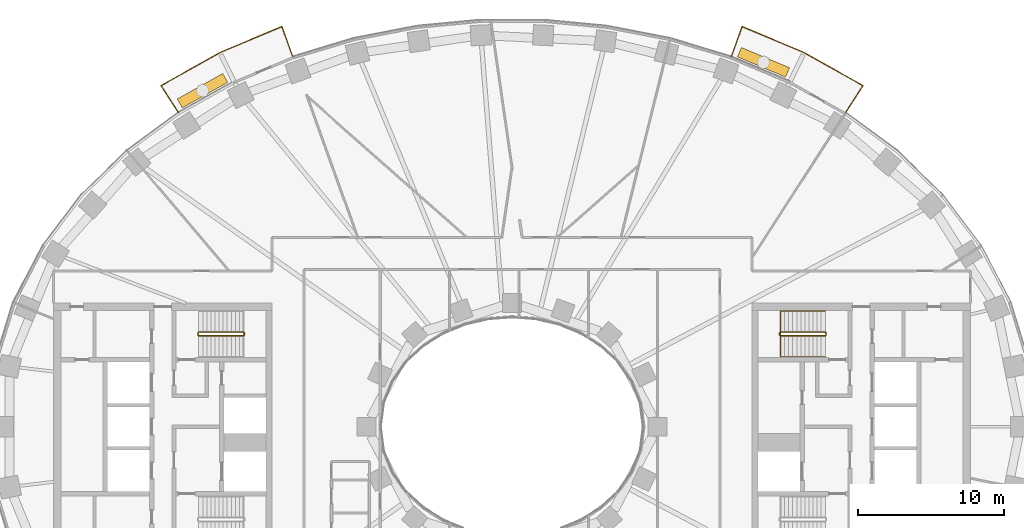
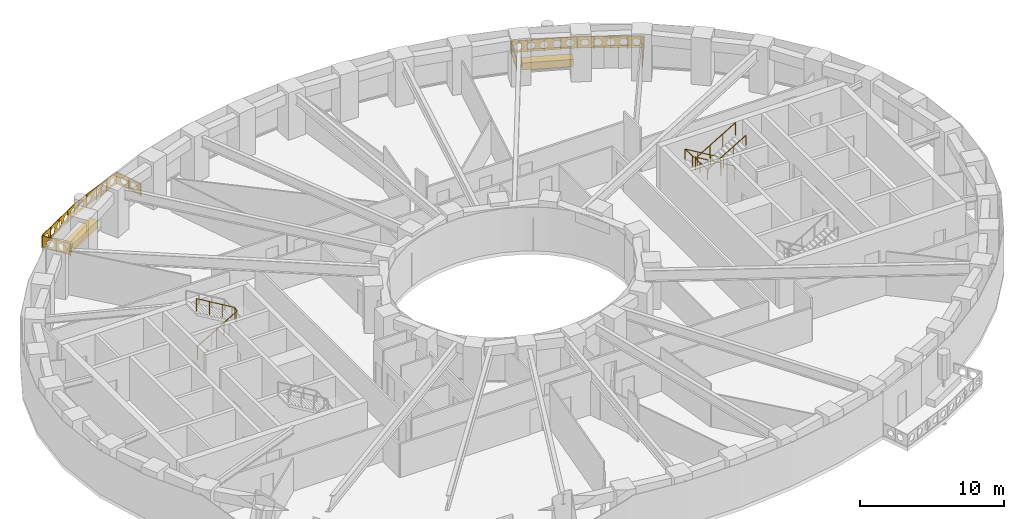
# One storey, part 14 of 15: 5 railings, 2 coverings.
"""IFC4 building model written with IfcOpenShell, lengths in metres."""

from ifc_helpers import new_model, si_unit, direction, frame, origin, origin_2d, place, context, subcontext, project, spatial, polyline, rectangle, outline, extrude, material, type_object, element, save


model = new_model("IFC4")

# Units and contexts
model_context = context("Model", 3, precision=1e-05, world=origin(), true_north=direction((0.0, 1.0)))
body_context = subcontext(model_context, "Body", "Model", "MODEL_VIEW")
ifc_project = project(units=[si_unit("LENGTHUNIT", "METRE"), si_unit("AREAUNIT", "SQUARE_METRE"), si_unit("VOLUMEUNIT", "CUBIC_METRE"), si_unit("PLANEANGLEUNIT", "RADIAN"), si_unit("MASSUNIT", "GRAM", prefix="KILO")], contexts=[model_context])

# Site, building, storey
site_placement = place(None, origin())
site = spatial("IfcSite", under=ifc_project, at=site_placement, CompositionType="ELEMENT")
building_placement = place(site_placement, origin())
building = spatial("IfcBuilding", under=site, at=building_placement, Name="Noorbagh Ring Tower", CompositionType="ELEMENT")
storey_placement = place(building_placement, frame((0.0, 0.0, 62.5)))
storey = spatial("IfcBuildingStorey", under=building, at=storey_placement, Name="L13", CompositionType="ELEMENT", Elevation=62.5)

# Railings
ifc_material_1 = material(Name="Stainless steel", Category="steel")
railing_type_1 = type_object("IfcRailingType", Name="CORE-STAIR-GUARD", PredefinedType="GUARDRAIL", material=ifc_material_1)
railing_1_placement = place(storey_placement, frame((-21.580078125, 6.300048828125, 0.0)))
element("IfcRailing", 1, at=railing_1_placement, inside=storey, type_object=railing_type_1, Name="L13 ST1 stair guard", PredefinedType="GUARDRAIL", context=body_context, shape_type="SweptSolid", body=[
    extrude(rectangle(XDim=0.048095703125, YDim=0.048095703125, at=origin_2d()), frame((0.0, 0.0, 1.076171875), z_axis=(0.0, 1.0, 0.0), x_axis=(-1.0, 0.0, 0.0)), (0.0, 0.0, 1.0), 0.14990234375),
    extrude(rectangle(XDim=0.048095703125, YDim=0.048095703125, at=origin_2d()), frame((0.0, 0.14990234375, 1.076171875), z_axis=(0.188775798145, -0.754182335027, 0.628945707965), x_axis=(0.970072785993, 0.242814311512, 0.0)), (0.0, 0.0, 1.0), 0.26513671875),
    extrude(rectangle(XDim=0.048095703125, YDim=0.048095703125, at=origin_2d()), frame((0.050048828125, -0.050048828125, 1.24267578125), z_axis=(0.859308565015, 0.0, 0.511457515432), x_axis=(0.0, 1.0, 0.0)), (0.0, 0.0, 1.0), 3.58447265625),
    extrude(rectangle(XDim=0.048095703125, YDim=0.048095703125, at=origin_2d()), frame((3.130126953125, -0.050048828125, 3.076171875), z_axis=(0.707106781187, 0.707106781187, 0.0), x_axis=(-0.707106781187, 0.707106781187, 0.0)), (0.0, 0.0, 1.0), 0.07080078125),
    extrude(rectangle(XDim=0.048095703125, YDim=0.048095703125, at=origin_2d()), frame((3.18017578125, 0.0, 3.076171875), z_axis=(0.0, 1.0, 0.0), x_axis=(-1.0, 0.0, 0.0)), (0.0, 0.0, 1.0), 0.14990234375),
    extrude(rectangle(XDim=0.048095703125, YDim=0.048095703125, at=origin_2d()), frame((3.18017578125, 0.14990234375, 3.076171875), z_axis=(-0.27628659633, 0.27628659633, 0.920506074601), x_axis=(-0.707106781187, -0.707106781187, 0.0)), (0.0, 0.0, 1.0), 0.18115234375),
    extrude(rectangle(XDim=0.048095703125, YDim=0.048095703125, at=origin_2d()), frame((3.130126953125, 0.199951171875, 3.24267578125), z_axis=(-0.859308565015, 0.0, 0.511457515432), x_axis=(0.0, -1.0, 0.0)), (0.0, 0.0, 1.0), 3.58447265625),
    extrude(rectangle(XDim=0.0419921875, YDim=0.0419921875, at=origin_2d()), origin(), (0.0, 0.0, 1.0), 1.052001953125),
    extrude(rectangle(XDim=0.0419921875, YDim=0.0419921875, at=origin_2d()), frame((1.07666015625, -0.050048828125, 0.77783203125)), (0.0, 0.0, 1.0), 1.052001953125),
    extrude(rectangle(XDim=0.0419921875, YDim=0.0419921875, at=origin_2d()), frame((2.103515625, -0.050048828125, 1.388916015625)), (0.0, 0.0, 1.0), 1.052001953125),
    extrude(rectangle(XDim=0.0419921875, YDim=0.0419921875, at=origin_2d()), frame((3.130126953125, -0.050048828125, 2.0)), (0.0, 0.0, 1.0), 1.052001953125),
    extrude(rectangle(XDim=0.0419921875, YDim=0.0419921875, at=origin_2d()), frame((3.130126953125, 0.199951171875, 2.166748046875)), (0.0, 0.0, 1.0), 1.052001953125),
    extrude(rectangle(XDim=0.0419921875, YDim=0.0419921875, at=origin_2d()), frame((2.103515625, 0.199951171875, 2.77783203125)), (0.0, 0.0, 1.0), 1.052001953125),
    extrude(rectangle(XDim=0.0419921875, YDim=0.0419921875, at=origin_2d()), frame((1.07666015625, 0.199951171875, 3.388916015625)), (0.0, 0.0, 1.0), 1.052001953125),
    extrude(rectangle(XDim=0.0419921875, YDim=0.0419921875, at=origin_2d()), frame((0.050048828125, 0.199951171875, 4.0)), (0.0, 0.0, 1.0), 1.052001953125),
])
railing_2_placement = place(storey_placement, frame((21.580078125, 6.449951171875, 0.0)))
element("IfcRailing", 2, at=railing_2_placement, inside=storey, type_object=railing_type_1, Name="L13 ST3 stair guard", PredefinedType="GUARDRAIL", context=body_context, shape_type="SweptSolid", body=[
    extrude(rectangle(XDim=0.048095703125, YDim=0.048095703125, at=origin_2d()), frame((0.0, 0.0, 1.076171875), z_axis=(0.0, -1.0, 0.0), x_axis=(1.0, 0.0, 0.0)), (0.0, 0.0, 1.0), 0.14990234375),
    extrude(rectangle(XDim=0.048095703125, YDim=0.048095703125, at=origin_2d()), frame((0.0, -0.14990234375, 1.076171875), z_axis=(-0.188775798145, 0.754182335027, 0.628945707965), x_axis=(-0.970072785993, -0.242814311512, 0.0)), (0.0, 0.0, 1.0), 0.26513671875),
    extrude(rectangle(XDim=0.048095703125, YDim=0.048095703125, at=origin_2d()), frame((-0.050048828125, 0.050048828125, 1.24267578125), z_axis=(-0.859308565015, 0.0, 0.511457515432), x_axis=(0.0, -1.0, 0.0)), (0.0, 0.0, 1.0), 3.58447265625),
    extrude(rectangle(XDim=0.048095703125, YDim=0.048095703125, at=origin_2d()), frame((-3.130126953125, 0.050048828125, 3.076171875), z_axis=(-0.707106781187, -0.707106781187, 0.0), x_axis=(0.707106781187, -0.707106781187, 0.0)), (0.0, 0.0, 1.0), 0.07080078125),
    extrude(rectangle(XDim=0.048095703125, YDim=0.048095703125, at=origin_2d()), frame((-3.18017578125, 0.0, 3.076171875), z_axis=(0.0, -1.0, 0.0), x_axis=(1.0, 0.0, 0.0)), (0.0, 0.0, 1.0), 0.14990234375),
    extrude(rectangle(XDim=0.048095703125, YDim=0.048095703125, at=origin_2d()), frame((-3.18017578125, -0.14990234375, 3.076171875), z_axis=(0.27628659633, -0.27628659633, 0.920506074601), x_axis=(0.707106781187, 0.707106781187, 0.0)), (0.0, 0.0, 1.0), 0.18115234375),
    extrude(rectangle(XDim=0.048095703125, YDim=0.048095703125, at=origin_2d()), frame((-3.130126953125, -0.199951171875, 3.24267578125), z_axis=(0.859308565015, 0.0, 0.511457515432), x_axis=(0.0, 1.0, 0.0)), (0.0, 0.0, 1.0), 3.58447265625),
    extrude(rectangle(XDim=0.0419921875, YDim=0.0419921875, at=origin_2d()), origin(), (0.0, 0.0, 1.0), 1.052001953125),
    extrude(rectangle(XDim=0.0419921875, YDim=0.0419921875, at=origin_2d()), frame((-1.07666015625, 0.050048828125, 0.77783203125)), (0.0, 0.0, 1.0), 1.052001953125),
    extrude(rectangle(XDim=0.0419921875, YDim=0.0419921875, at=origin_2d()), frame((-2.103515625, 0.050048828125, 1.388916015625)), (0.0, 0.0, 1.0), 1.052001953125),
    extrude(rectangle(XDim=0.0419921875, YDim=0.0419921875, at=origin_2d()), frame((-3.130126953125, 0.050048828125, 2.0)), (0.0, 0.0, 1.0), 1.052001953125),
    extrude(rectangle(XDim=0.0419921875, YDim=0.0419921875, at=origin_2d()), frame((-3.130126953125, -0.199951171875, 2.166748046875)), (0.0, 0.0, 1.0), 1.052001953125),
    extrude(rectangle(XDim=0.0419921875, YDim=0.0419921875, at=origin_2d()), frame((-2.103515625, -0.199951171875, 2.77783203125)), (0.0, 0.0, 1.0), 1.052001953125),
    extrude(rectangle(XDim=0.0419921875, YDim=0.0419921875, at=origin_2d()), frame((-1.07666015625, -0.199951171875, 3.388916015625)), (0.0, 0.0, 1.0), 1.052001953125),
    extrude(rectangle(XDim=0.0419921875, YDim=0.0419921875, at=origin_2d()), frame((-0.050048828125, -0.199951171875, 4.0)), (0.0, 0.0, 1.0), 1.052001953125),
])
ifc_material_2 = material(Name="Stainless steel", Category="steel")
railing_type_2 = type_object("IfcRailingType", Name="CORE-STAIR-HANDRAIL", PredefinedType="HANDRAIL", material=ifc_material_2)
railing_3_placement = place(storey_placement, frame((21.530029296875, 7.949951171875, 0.166748046875)))
element("IfcRailing", 3, at=railing_3_placement, inside=storey, type_object=railing_type_2, Name="L13 ST3 stair handrail", PredefinedType="HANDRAIL", context=body_context, shape_type="SweptSolid", body=[
    extrude(rectangle(XDim=0.048095703125, YDim=0.048095703125, at=origin_2d()), frame((0.0, 0.0, 0.8759765625), z_axis=(-0.859308565015, 0.0, 0.511457515432), x_axis=(0.0, -1.0, 0.0)), (0.0, 0.0, 1.0), 3.58447265625),
    extrude(rectangle(XDim=0.048095703125, YDim=0.048095703125, at=origin_2d()), frame((-3.080078125, 0.0, 2.708984375), z_axis=(0.0, -0.998601747152, 0.052863509014), x_axis=(1.0, 0.0, 0.0)), (0.0, 0.0, 1.0), 3.154296875),
    extrude(rectangle(XDim=0.048095703125, YDim=0.048095703125, at=origin_2d()), frame((-3.080078125, -3.14990234375, 2.8759765625), z_axis=(0.859308565015, 0.0, 0.511457515432), x_axis=(0.0, 1.0, 0.0)), (0.0, 0.0, 1.0), 3.58447265625),
    extrude(rectangle(XDim=0.0419921875, YDim=0.0419921875, at=origin_2d()), origin(), (0.0, 0.0, 1.0), 0.851806640625),
    extrude(rectangle(XDim=0.0419921875, YDim=0.0419921875, at=origin_2d()), frame((-1.026611328125, 0.0, 0.611083984375)), (0.0, 0.0, 1.0), 0.851806640625),
    extrude(rectangle(XDim=0.0419921875, YDim=0.0419921875, at=origin_2d()), frame((-2.053466796875, 0.0, 1.22216796875)), (0.0, 0.0, 1.0), 0.851806640625),
    extrude(rectangle(XDim=0.0419921875, YDim=0.0419921875, at=origin_2d()), frame((-3.080078125, 0.0, 1.833251953125)), (0.0, 0.0, 1.0), 0.851806640625),
    extrude(rectangle(XDim=0.0419921875, YDim=0.0419921875, at=origin_2d()), frame((-3.080078125, -1.050048828125, 1.888916015625)), (0.0, 0.0, 1.0), 0.851806640625),
    extrude(rectangle(XDim=0.0419921875, YDim=0.0419921875, at=origin_2d()), frame((-3.080078125, -2.099853515625, 1.9443359375)), (0.0, 0.0, 1.0), 0.851806640625),
    extrude(rectangle(XDim=0.0419921875, YDim=0.0419921875, at=origin_2d()), frame((-3.080078125, -3.14990234375, 2.0)), (0.0, 0.0, 1.0), 0.851806640625),
    extrude(rectangle(XDim=0.0419921875, YDim=0.0419921875, at=origin_2d()), frame((-2.053466796875, -3.14990234375, 2.611083984375)), (0.0, 0.0, 1.0), 0.851806640625),
    extrude(rectangle(XDim=0.0419921875, YDim=0.0419921875, at=origin_2d()), frame((-1.026611328125, -3.14990234375, 3.22216796875)), (0.0, 0.0, 1.0), 0.851806640625),
    extrude(rectangle(XDim=0.0419921875, YDim=0.0419921875, at=origin_2d()), frame((0.0, -3.14990234375, 3.833251953125)), (0.0, 0.0, 1.0), 0.851806640625),
])
ifc_material_3 = material(Name="Steel S275 black powder-coated", Category="steel")
railing_type_3 = type_object("IfcRailingType", Name="ENV-GUARD", PredefinedType="GUARDRAIL", material=ifc_material_3)
railing_4_placement = place(storey_placement, frame((22.9326171875, 21.583740234375, 0.0)))
element("IfcRailing", 4, at=railing_4_placement, inside=storey, type_object=railing_type_3, Name="Balcony guard BN02", PredefinedType="GUARDRAIL", context=body_context, shape_type="SweptSolid", body=[
    extrude(rectangle(XDim=0.048095703125, YDim=0.048095703125, at=origin_2d()), frame((0.0, 0.0, 1.076171875), z_axis=(0.542268136821, 0.840205491406, 0.0), x_axis=(-0.840205491406, 0.542268136821, 0.0)), (0.0, 0.0, 1.0), 2.204345703125),
    extrude(rectangle(XDim=0.048095703125, YDim=0.048095703125, at=origin_2d()), frame((1.1953125, 1.85205078125, 1.076171875), z_axis=(-0.872052247658, 0.489412788303, 0.0), x_axis=(-0.489412788303, -0.872052247658, 0.0)), (0.0, 0.0, 1.0), 4.646240234375),
    extrude(rectangle(XDim=0.048095703125, YDim=0.048095703125, at=origin_2d()), frame((-2.8564453125, 4.1259765625, 1.076171875), z_axis=(-0.921809087722, 0.387644174203, 0.0), x_axis=(-0.387644174203, -0.921809087722, 0.0)), (0.0, 0.0, 1.0), 4.627197265625),
    extrude(rectangle(XDim=0.048095703125, YDim=0.048095703125, at=origin_2d()), frame((-7.121826171875, 5.919677734375, 1.076171875), z_axis=(-0.338350546839, -0.941020141896, 0.0), x_axis=(0.941020141896, -0.338350546839, 0.0)), (0.0, 0.0, 1.0), 2.202880859375),
    extrude(rectangle(XDim=0.0419921875, YDim=0.0419921875, at=origin_2d()), origin(), (0.0, 0.0, 1.0), 1.052001953125),
    extrude(rectangle(XDim=0.0419921875, YDim=0.0419921875, at=origin_2d()), frame((0.59765625, 0.926025390625, 0.0)), (0.0, 0.0, 1.0), 1.052001953125),
    extrude(rectangle(XDim=0.0419921875, YDim=0.0419921875, at=origin_2d()), frame((1.1953125, 1.85205078125, 0.0)), (0.0, 0.0, 1.0), 1.052001953125),
    extrude(rectangle(XDim=0.0419921875, YDim=0.0419921875, at=origin_2d()), frame((0.182373046875, 2.42041015625, 0.0)), (0.0, 0.0, 1.0), 1.052001953125),
    extrude(rectangle(XDim=0.0419921875, YDim=0.0419921875, at=origin_2d()), frame((-0.83056640625, 2.989013671875, 0.0)), (0.0, 0.0, 1.0), 1.052001953125),
    extrude(rectangle(XDim=0.0419921875, YDim=0.0419921875, at=origin_2d()), frame((-1.843505859375, 3.5576171875, 0.0)), (0.0, 0.0, 1.0), 1.052001953125),
    extrude(rectangle(XDim=0.0419921875, YDim=0.0419921875, at=origin_2d()), frame((-2.8564453125, 4.1259765625, 0.0)), (0.0, 0.0, 1.0), 1.052001953125),
    extrude(rectangle(XDim=0.0419921875, YDim=0.0419921875, at=origin_2d()), frame((-3.9228515625, 4.574462890625, 0.0)), (0.0, 0.0, 1.0), 1.052001953125),
    extrude(rectangle(XDim=0.0419921875, YDim=0.0419921875, at=origin_2d()), frame((-4.9892578125, 5.02294921875, 0.0)), (0.0, 0.0, 1.0), 1.052001953125),
    extrude(rectangle(XDim=0.0419921875, YDim=0.0419921875, at=origin_2d()), frame((-6.055419921875, 5.47119140625, 0.0)), (0.0, 0.0, 1.0), 1.052001953125),
    extrude(rectangle(XDim=0.0419921875, YDim=0.0419921875, at=origin_2d()), frame((-7.121826171875, 5.919677734375, 0.0)), (0.0, 0.0, 1.0), 1.052001953125),
    extrude(rectangle(XDim=0.0419921875, YDim=0.0419921875, at=origin_2d()), frame((-7.49462890625, 4.88330078125, 0.0)), (0.0, 0.0, 1.0), 1.052001953125),
    extrude(rectangle(XDim=0.0419921875, YDim=0.0419921875, at=origin_2d()), frame((-7.8671875, 3.8466796875, 0.0)), (0.0, 0.0, 1.0), 1.052001953125),
    extrude(outline(polyline([(0.0, 0.10009765625), (2.204345703125, 0.10009765625), (2.204345703125, 1.031982421875), (0.0, 1.031982421875), (0.0, 0.10009765625)]), holes=[polyline([(0.962158203125, 0.56591796875), (0.80712890625, 0.83447265625), (0.4970703125, 0.83447265625), (0.342041015625, 0.56591796875), (0.4970703125, 0.297607421875), (0.80712890625, 0.297607421875), (0.962158203125, 0.56591796875)]), polyline([(1.862060546875, 0.56591796875), (1.70703125, 0.83447265625), (1.397216796875, 0.83447265625), (1.2421875, 0.56591796875), (1.397216796875, 0.297607421875), (1.70703125, 0.297607421875), (1.862060546875, 0.56591796875)])]), frame((-0.00830078125, 0.00537109375, 0.0), z_axis=(0.840205491406, -0.542268136821, 0.0), x_axis=(0.542268136821, 0.840205491406, 0.0)), (0.0, 0.0, 1.0), 0.02001953125),
    extrude(outline(polyline([(0.0, 0.10009765625), (4.646240234375, 0.10009765625), (4.646240234375, 1.031982421875), (0.0, 1.031982421875), (0.0, 0.10009765625)]), holes=[polyline([(0.8330078125, 0.56591796875), (0.67822265625, 0.83447265625), (0.3681640625, 0.83447265625), (0.213134765625, 0.56591796875), (0.3681640625, 0.297607421875), (0.67822265625, 0.297607421875), (0.8330078125, 0.56591796875)]), polyline([(1.733154296875, 0.56591796875), (1.578125, 0.83447265625), (1.26806640625, 0.83447265625), (1.113037109375, 0.56591796875), (1.26806640625, 0.297607421875), (1.578125, 0.297607421875), (1.733154296875, 0.56591796875)]), polyline([(2.633056640625, 0.56591796875), (2.47802734375, 0.83447265625), (2.168212890625, 0.83447265625), (2.01318359375, 0.56591796875), (2.168212890625, 0.297607421875), (2.47802734375, 0.297607421875), (2.633056640625, 0.56591796875)]), polyline([(3.533203125, 0.56591796875), (3.378173828125, 0.83447265625), (3.068115234375, 0.83447265625), (2.9130859375, 0.56591796875), (3.068115234375, 0.297607421875), (3.378173828125, 0.297607421875), (3.533203125, 0.56591796875)]), polyline([(4.43310546875, 0.56591796875), (4.278076171875, 0.83447265625), (3.968017578125, 0.83447265625), (3.813232421875, 0.56591796875), (3.968017578125, 0.297607421875), (4.278076171875, 0.297607421875), (4.43310546875, 0.56591796875)])]), frame((1.1904296875, 1.84326171875, 0.0), z_axis=(0.489412788303, 0.872052247658, 0.0), x_axis=(-0.872052247658, 0.489412788303, 0.0)), (0.0, 0.0, 1.0), 0.02001953125),
    extrude(outline(polyline([(0.0, 0.10009765625), (4.627197265625, 0.10009765625), (4.627197265625, 1.031982421875), (0.0, 1.031982421875), (0.0, 0.10009765625)]), holes=[polyline([(0.823486328125, 0.56591796875), (0.668701171875, 0.83447265625), (0.358642578125, 0.83447265625), (0.20361328125, 0.56591796875), (0.358642578125, 0.297607421875), (0.668701171875, 0.297607421875), (0.823486328125, 0.56591796875)]), polyline([(1.7236328125, 0.56591796875), (1.568603515625, 0.83447265625), (1.258544921875, 0.83447265625), (1.103515625, 0.56591796875), (1.258544921875, 0.297607421875), (1.568603515625, 0.297607421875), (1.7236328125, 0.56591796875)]), polyline([(2.62353515625, 0.56591796875), (2.468505859375, 0.83447265625), (2.15869140625, 0.83447265625), (2.003662109375, 0.56591796875), (2.15869140625, 0.297607421875), (2.468505859375, 0.297607421875), (2.62353515625, 0.56591796875)]), polyline([(3.523681640625, 0.56591796875), (3.36865234375, 0.83447265625), (3.05859375, 0.83447265625), (2.903564453125, 0.56591796875), (3.05859375, 0.297607421875), (3.36865234375, 0.297607421875), (3.523681640625, 0.56591796875)]), polyline([(4.423583984375, 0.56591796875), (4.2685546875, 0.83447265625), (3.95849609375, 0.83447265625), (3.8037109375, 0.56591796875), (3.95849609375, 0.297607421875), (4.2685546875, 0.297607421875), (4.423583984375, 0.56591796875)])]), frame((-2.8603515625, 4.11669921875, 0.0), z_axis=(0.387644174203, 0.921809087722, 0.0), x_axis=(-0.921809087722, 0.387644174203, 0.0)), (0.0, 0.0, 1.0), 0.02001953125),
    extrude(outline(polyline([(0.0, 0.10009765625), (2.202880859375, 0.10009765625), (2.202880859375, 1.031982421875), (0.0, 1.031982421875), (0.0, 0.10009765625)]), holes=[polyline([(0.96142578125, 0.56591796875), (0.806396484375, 0.83447265625), (0.49658203125, 0.83447265625), (0.341552734375, 0.56591796875), (0.49658203125, 0.297607421875), (0.806396484375, 0.297607421875), (0.96142578125, 0.56591796875)]), polyline([(1.861572265625, 0.56591796875), (1.70654296875, 0.83447265625), (1.396484375, 0.83447265625), (1.241455078125, 0.56591796875), (1.396484375, 0.297607421875), (1.70654296875, 0.297607421875), (1.861572265625, 0.56591796875)])]), frame((-7.1123046875, 5.916259765625, 0.0), z_axis=(-0.941020141896, 0.338350546839, 0.0), x_axis=(-0.338350546839, -0.941020141896, 0.0)), (0.0, 0.0, 1.0), 0.02001953125),
])
railing_5_placement = place(storey_placement, frame((-15.0654296875, 25.430419921875, 0.0)))
element("IfcRailing", 5, at=railing_5_placement, inside=storey, type_object=railing_type_3, Name="Balcony guard BN05", PredefinedType="GUARDRAIL", context=body_context, shape_type="SweptSolid", body=[
    extrude(rectangle(XDim=0.048095703125, YDim=0.048095703125, at=origin_2d()), frame((0.0, 0.0, 1.076171875), z_axis=(-0.338350546839, 0.941020141896, 0.0), x_axis=(-0.941020141896, -0.338350546839, 0.0)), (0.0, 0.0, 1.0), 2.202880859375),
    extrude(rectangle(XDim=0.048095703125, YDim=0.048095703125, at=origin_2d()), frame((-0.745361328125, 2.072998046875, 1.076171875), z_axis=(-0.921809087722, -0.387644174203, 0.0), x_axis=(0.387644174203, -0.921809087722, 0.0)), (0.0, 0.0, 1.0), 4.627197265625),
    extrude(rectangle(XDim=0.048095703125, YDim=0.048095703125, at=origin_2d()), frame((-5.0107421875, 0.279296875, 1.076171875), z_axis=(-0.872052247658, -0.489412788303, 0.0), x_axis=(0.489412788303, -0.872052247658, 0.0)), (0.0, 0.0, 1.0), 4.646240234375),
    extrude(rectangle(XDim=0.048095703125, YDim=0.048095703125, at=origin_2d()), frame((-9.0625, -1.99462890625, 1.076171875), z_axis=(0.542268136821, -0.840205491406, 0.0), x_axis=(0.840205491406, 0.542268136821, 0.0)), (0.0, 0.0, 1.0), 2.204345703125),
    extrude(rectangle(XDim=0.0419921875, YDim=0.0419921875, at=origin_2d()), origin(), (0.0, 0.0, 1.0), 1.052001953125),
    extrude(rectangle(XDim=0.0419921875, YDim=0.0419921875, at=origin_2d()), frame((-0.37255859375, 1.03662109375, 0.0)), (0.0, 0.0, 1.0), 1.052001953125),
    extrude(rectangle(XDim=0.0419921875, YDim=0.0419921875, at=origin_2d()), frame((-0.745361328125, 2.072998046875, 0.0)), (0.0, 0.0, 1.0), 1.052001953125),
    extrude(rectangle(XDim=0.0419921875, YDim=0.0419921875, at=origin_2d()), frame((-1.811767578125, 1.62451171875, 0.0)), (0.0, 0.0, 1.0), 1.052001953125),
    extrude(rectangle(XDim=0.0419921875, YDim=0.0419921875, at=origin_2d()), frame((-2.8779296875, 1.17626953125, 0.0)), (0.0, 0.0, 1.0), 1.052001953125),
    extrude(rectangle(XDim=0.0419921875, YDim=0.0419921875, at=origin_2d()), frame((-3.9443359375, 0.727783203125, 0.0)), (0.0, 0.0, 1.0), 1.052001953125),
    extrude(rectangle(XDim=0.0419921875, YDim=0.0419921875, at=origin_2d()), frame((-5.0107421875, 0.279296875, 0.0)), (0.0, 0.0, 1.0), 1.052001953125),
    extrude(rectangle(XDim=0.0419921875, YDim=0.0419921875, at=origin_2d()), frame((-6.023681640625, -0.2890625, 0.0)), (0.0, 0.0, 1.0), 1.052001953125),
    extrude(rectangle(XDim=0.0419921875, YDim=0.0419921875, at=origin_2d()), frame((-7.03662109375, -0.857666015625, 0.0)), (0.0, 0.0, 1.0), 1.052001953125),
    extrude(rectangle(XDim=0.0419921875, YDim=0.0419921875, at=origin_2d()), frame((-8.049560546875, -1.42626953125, 0.0)), (0.0, 0.0, 1.0), 1.052001953125),
    extrude(rectangle(XDim=0.0419921875, YDim=0.0419921875, at=origin_2d()), frame((-9.0625, -1.99462890625, 0.0)), (0.0, 0.0, 1.0), 1.052001953125),
    extrude(rectangle(XDim=0.0419921875, YDim=0.0419921875, at=origin_2d()), frame((-8.46484375, -2.920654296875, 0.0)), (0.0, 0.0, 1.0), 1.052001953125),
    extrude(rectangle(XDim=0.0419921875, YDim=0.0419921875, at=origin_2d()), frame((-7.8671875, -3.8466796875, 0.0)), (0.0, 0.0, 1.0), 1.052001953125),
    extrude(outline(polyline([(0.0, 0.10009765625), (2.202880859375, 0.10009765625), (2.202880859375, 1.031982421875), (0.0, 1.031982421875), (0.0, 0.10009765625)]), holes=[polyline([(0.96142578125, 0.56591796875), (0.806396484375, 0.83447265625), (0.49658203125, 0.83447265625), (0.341552734375, 0.56591796875), (0.49658203125, 0.297607421875), (0.806396484375, 0.297607421875), (0.96142578125, 0.56591796875)]), polyline([(1.861572265625, 0.56591796875), (1.70654296875, 0.83447265625), (1.396484375, 0.83447265625), (1.241455078125, 0.56591796875), (1.396484375, 0.297607421875), (1.70654296875, 0.297607421875), (1.861572265625, 0.56591796875)])]), frame((-0.009521484375, -0.00341796875, 0.0), z_axis=(0.941020141896, 0.338350546839, 0.0), x_axis=(-0.338350546839, 0.941020141896, 0.0)), (0.0, 0.0, 1.0), 0.02001953125),
    extrude(outline(polyline([(0.0, 0.10009765625), (4.627197265625, 0.10009765625), (4.627197265625, 1.031982421875), (0.0, 1.031982421875), (0.0, 0.10009765625)]), holes=[polyline([(0.823486328125, 0.56591796875), (0.668701171875, 0.83447265625), (0.358642578125, 0.83447265625), (0.20361328125, 0.56591796875), (0.358642578125, 0.297607421875), (0.668701171875, 0.297607421875), (0.823486328125, 0.56591796875)]), polyline([(1.7236328125, 0.56591796875), (1.568603515625, 0.83447265625), (1.258544921875, 0.83447265625), (1.103515625, 0.56591796875), (1.258544921875, 0.297607421875), (1.568603515625, 0.297607421875), (1.7236328125, 0.56591796875)]), polyline([(2.62353515625, 0.56591796875), (2.468505859375, 0.83447265625), (2.15869140625, 0.83447265625), (2.003662109375, 0.56591796875), (2.15869140625, 0.297607421875), (2.468505859375, 0.297607421875), (2.62353515625, 0.56591796875)]), polyline([(3.523681640625, 0.56591796875), (3.36865234375, 0.83447265625), (3.05859375, 0.83447265625), (2.903564453125, 0.56591796875), (3.05859375, 0.297607421875), (3.36865234375, 0.297607421875), (3.523681640625, 0.56591796875)]), polyline([(4.423583984375, 0.56591796875), (4.2685546875, 0.83447265625), (3.95849609375, 0.83447265625), (3.8037109375, 0.56591796875), (3.95849609375, 0.297607421875), (4.2685546875, 0.297607421875), (4.423583984375, 0.56591796875)])]), frame((-0.741455078125, 2.063720703125, 0.0), z_axis=(-0.387644174203, 0.921809087722, 0.0), x_axis=(-0.921809087722, -0.387644174203, 0.0)), (0.0, 0.0, 1.0), 0.02001953125),
    extrude(outline(polyline([(0.0, 0.10009765625), (4.646240234375, 0.10009765625), (4.646240234375, 1.031982421875), (0.0, 1.031982421875), (0.0, 0.10009765625)]), holes=[polyline([(0.8330078125, 0.56591796875), (0.67822265625, 0.83447265625), (0.3681640625, 0.83447265625), (0.213134765625, 0.56591796875), (0.3681640625, 0.297607421875), (0.67822265625, 0.297607421875), (0.8330078125, 0.56591796875)]), polyline([(1.733154296875, 0.56591796875), (1.578125, 0.83447265625), (1.26806640625, 0.83447265625), (1.113037109375, 0.56591796875), (1.26806640625, 0.297607421875), (1.578125, 0.297607421875), (1.733154296875, 0.56591796875)]), polyline([(2.633056640625, 0.56591796875), (2.47802734375, 0.83447265625), (2.168212890625, 0.83447265625), (2.01318359375, 0.56591796875), (2.168212890625, 0.297607421875), (2.47802734375, 0.297607421875), (2.633056640625, 0.56591796875)]), polyline([(3.533203125, 0.56591796875), (3.378173828125, 0.83447265625), (3.068115234375, 0.83447265625), (2.9130859375, 0.56591796875), (3.068115234375, 0.297607421875), (3.378173828125, 0.297607421875), (3.533203125, 0.56591796875)]), polyline([(4.43310546875, 0.56591796875), (4.278076171875, 0.83447265625), (3.968017578125, 0.83447265625), (3.813232421875, 0.56591796875), (3.968017578125, 0.297607421875), (4.278076171875, 0.297607421875), (4.43310546875, 0.56591796875)])]), frame((-5.005859375, 0.2705078125, 0.0), z_axis=(-0.489412788303, 0.872052247658, 0.0), x_axis=(-0.872052247658, -0.489412788303, 0.0)), (0.0, 0.0, 1.0), 0.02001953125),
    extrude(outline(polyline([(0.0, 0.10009765625), (2.204345703125, 0.10009765625), (2.204345703125, 1.031982421875), (0.0, 1.031982421875), (0.0, 0.10009765625)]), holes=[polyline([(0.962158203125, 0.56591796875), (0.80712890625, 0.83447265625), (0.4970703125, 0.83447265625), (0.342041015625, 0.56591796875), (0.4970703125, 0.297607421875), (0.80712890625, 0.297607421875), (0.962158203125, 0.56591796875)]), polyline([(1.862060546875, 0.56591796875), (1.70703125, 0.83447265625), (1.397216796875, 0.83447265625), (1.2421875, 0.56591796875), (1.397216796875, 0.297607421875), (1.70703125, 0.297607421875), (1.862060546875, 0.56591796875)])]), frame((-9.05419921875, -1.9892578125, 0.0), z_axis=(-0.840205491406, -0.542268136821, 0.0), x_axis=(0.542268136821, -0.840205491406, 0.0)), (0.0, 0.0, 1.0), 0.02001953125),
])

# Coverings
ifc_material_4 = material(Name="Concrete C30/37 planter with soil", Category="concrete")
covering_type = type_object("IfcCoveringType", Name="ENV-PLANTER", PredefinedType="CLADDING", material=ifc_material_4)
covering_1_placement = place(storey_placement, frame((17.280517578125, 25.041259765625, 0.0), z_axis=(0.0, 0.0, 1.0), x_axis=(-0.921811566494, 0.387638279686, 0.0)))
element("IfcCovering", 6, at=covering_1_placement, inside=storey, type_object=covering_type, Name="PLANTER BN02", ObjectType="PLANTER", PredefinedType="CLADDING", context=body_context, shape_type="SweptSolid", body=[
    extrude(rectangle(XDim=3.5859375, YDim=0.699951171875, at=origin_2d()), origin(), (0.0, 0.0, 1.0), 0.60009765625),
])
covering_2_placement = place(storey_placement, frame((-21.26513671875, 23.093017578125, 0.0), z_axis=(0.0, 0.0, 1.0), x_axis=(-0.872044586249, -0.48942643941, 0.0)))
element("IfcCovering", 7, at=covering_2_placement, inside=storey, type_object=covering_type, Name="PLANTER BN05", ObjectType="PLANTER", PredefinedType="CLADDING", context=body_context, shape_type="SweptSolid", body=[
    extrude(rectangle(XDim=3.58544921875, YDim=0.699951171875, at=origin_2d()), origin(), (0.0, 0.0, 1.0), 0.60009765625),
])

save(model, "model.ifc")
